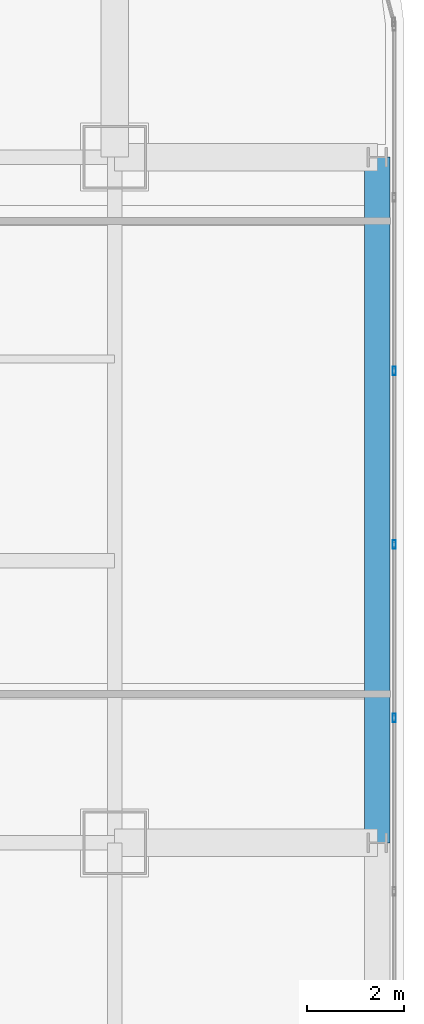
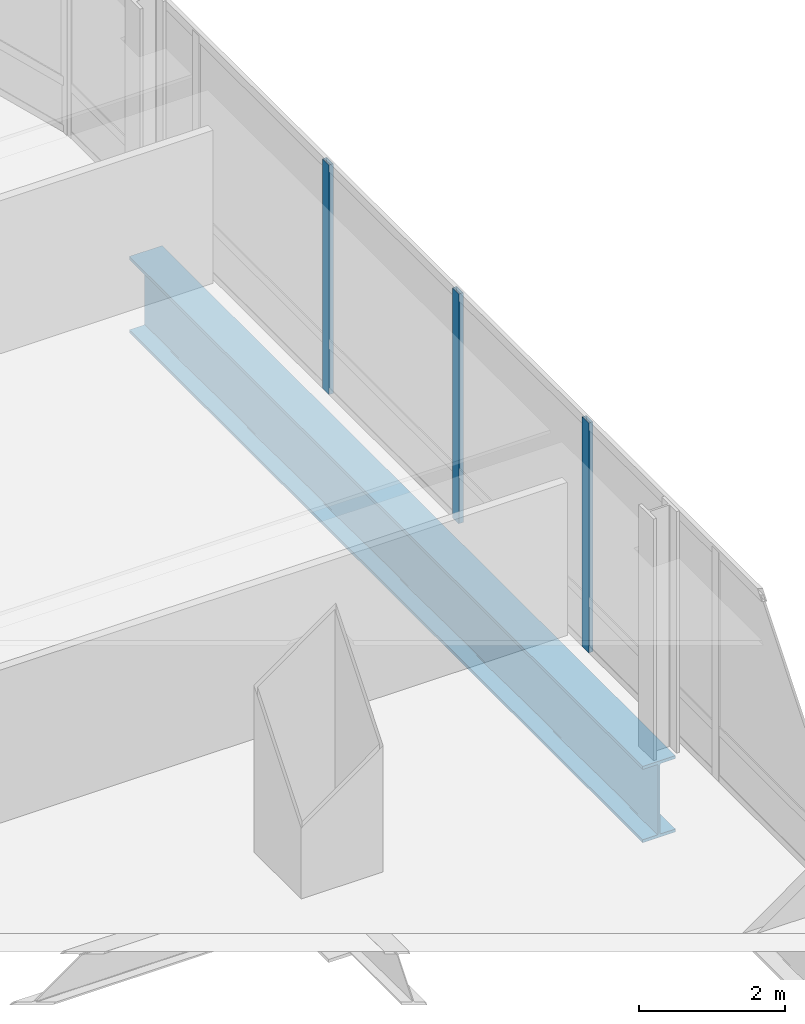
# One storey, part 21 of 42: 3 members, 1 beam, 1 element without a shape of its own.
"""IFC4 building model written with IfcOpenShell, lengths in metres."""

from ifc_helpers import new_model, si_unit, direction, frame, origin, origin_2d, place, context, subcontext, project, spatial, hollow_rectangle, i_section, extrude, material, material_profile, profile_set, type_object, element, aggregate, save


model = new_model("IFC4")

# Units and contexts
model_context = context("Model", 3, precision=1e-05, world=origin(), true_north=direction((0.0, 1.0)))
body_context = subcontext(model_context, "Body", "Model", "MODEL_VIEW")
ifc_project = project(units=[si_unit("LENGTHUNIT", "METRE"), si_unit("AREAUNIT", "SQUARE_METRE"), si_unit("VOLUMEUNIT", "CUBIC_METRE"), si_unit("PLANEANGLEUNIT", "RADIAN"), si_unit("MASSUNIT", "GRAM", prefix="KILO")], contexts=[model_context])

# Site, building, storey
site_placement = place(None, origin())
site = spatial("IfcSite", under=ifc_project, at=site_placement, CompositionType="ELEMENT")
building_placement = place(site_placement, origin())
building = spatial("IfcBuilding", under=site, at=building_placement, Name="Punatoya Terracotta Tower", CompositionType="ELEMENT")
storey_placement = place(building_placement, frame((0.0, 0.0, 255.449951171875)))
storey = spatial("IfcBuildingStorey", under=building, at=storey_placement, Name="L60", CompositionType="ELEMENT", Elevation=255.449951171875)

# Beam
ifc_material_1 = material(Name="Steel S460", Category="steel")
ifc_material_profile_1 = material_profile(ifc_material_1, i_section(OverallWidth=0.52001953125, OverallDepth=1.280029296875, WebThickness=0.031982421875, FlangeThickness=0.050048828125, FilletRadius=0.01806640625, at=origin_2d()))
ifc_profile_set_1 = profile_set([ifc_material_profile_1], Name="Steel S460")
beam_type = type_object("IfcBeamType", Name="BM-TG-NCK", PredefinedType="BEAM", material=ifc_profile_set_1)
beam_placement = place(storey_placement, frame((24.5, 3.39990234375, -0.83984375), z_axis=(0.0, 1.0, 0.0), x_axis=(-1.0, 0.0, 0.0)))
element("IfcBeam", 1, at=beam_placement, inside=storey, type_object=beam_type, Name="BM-L60-PER-E3", PredefinedType="BEAM", context=body_context, shape_type="SweptSolid", body=[
    extrude(i_section(OverallWidth=0.52001953125, OverallDepth=1.280029296875, WebThickness=0.031982421875, FlangeThickness=0.050048828125, FilletRadius=0.01806640625, at=origin_2d()), origin(), (0.0, 0.0, 1.0), 14.10009765625),
])

# Curtain wall, members
ifc_material_2 = material(Name="Aluminium 6063-T6 + Double Low-E Glass", Category="aluminium")
curtain_wall_type = type_object("IfcCurtainWallType", Name="CW-M3", PredefinedType="NOTDEFINED", material=ifc_material_2)
curtain_wall_placement = place(storey_placement, origin())
curtain_wall = element("IfcCurtainWall", 2, at=curtain_wall_placement, inside=storey, type_object=curtain_wall_type, Name="L60 Curtain Wall CW-L60-E05-1", PredefinedType="NOTDEFINED")
ifc_material_3 = material(Name="Aluminium 6063-T6", Category="aluminium")
ifc_material_profile_2 = material_profile(ifc_material_3, hollow_rectangle(XDim=0.070068359375, YDim=0.179931640625, WallThickness=0.00390625, at=origin_2d()))
ifc_profile_set_2 = profile_set([ifc_material_profile_2], Name="Aluminium 6063-T6")
member_type = type_object("IfcMemberType", Name="CW-MUL-M3", PredefinedType="MULLION", material=ifc_profile_set_2)
member_1_placement = place(storey_placement, frame((24.85009765625, 5.96728515625, 0.0), z_axis=(0.0, 0.0, 1.0), x_axis=(1.0, 0.0, 0.0)))
member_1 = element("IfcMember", 3, at=member_1_placement, type_object=member_type, Name="CW-L60-E05-1 Mullion 06", PredefinedType="MULLION", context=body_context, shape_type="SweptSolid", body=[
    extrude(hollow_rectangle(XDim=0.070068359375, YDim=0.179931640625, WallThickness=0.00390625, at=origin_2d()), origin(), (0.0, 0.0, 1.0), 3.85009765625),
])
member_2_placement = place(storey_placement, frame((24.85009765625, 9.534912109375, 0.0), z_axis=(0.0, 0.0, 1.0), x_axis=(1.0, 0.0, 0.0)))
member_2 = element("IfcMember", 4, at=member_2_placement, type_object=member_type, Name="CW-L60-E05-1 Mullion 07", PredefinedType="MULLION", context=body_context, shape_type="SweptSolid", body=[
    extrude(hollow_rectangle(XDim=0.070068359375, YDim=0.179931640625, WallThickness=0.00390625, at=origin_2d()), origin(), (0.0, 0.0, 1.0), 3.85009765625),
])
member_3_placement = place(storey_placement, frame((24.85009765625, 13.10205078125, 0.0), z_axis=(0.0, 0.0, 1.0), x_axis=(1.0, 0.0, 0.0)))
member_3 = element("IfcMember", 5, at=member_3_placement, type_object=member_type, Name="CW-L60-E05-1 Mullion 08", PredefinedType="MULLION", context=body_context, shape_type="SweptSolid", body=[
    extrude(hollow_rectangle(XDim=0.070068359375, YDim=0.179931640625, WallThickness=0.00390625, at=origin_2d()), origin(), (0.0, 0.0, 1.0), 3.85009765625),
])
aggregate(curtain_wall, [member_1, member_2, member_3])

save(model, "model.ifc")
